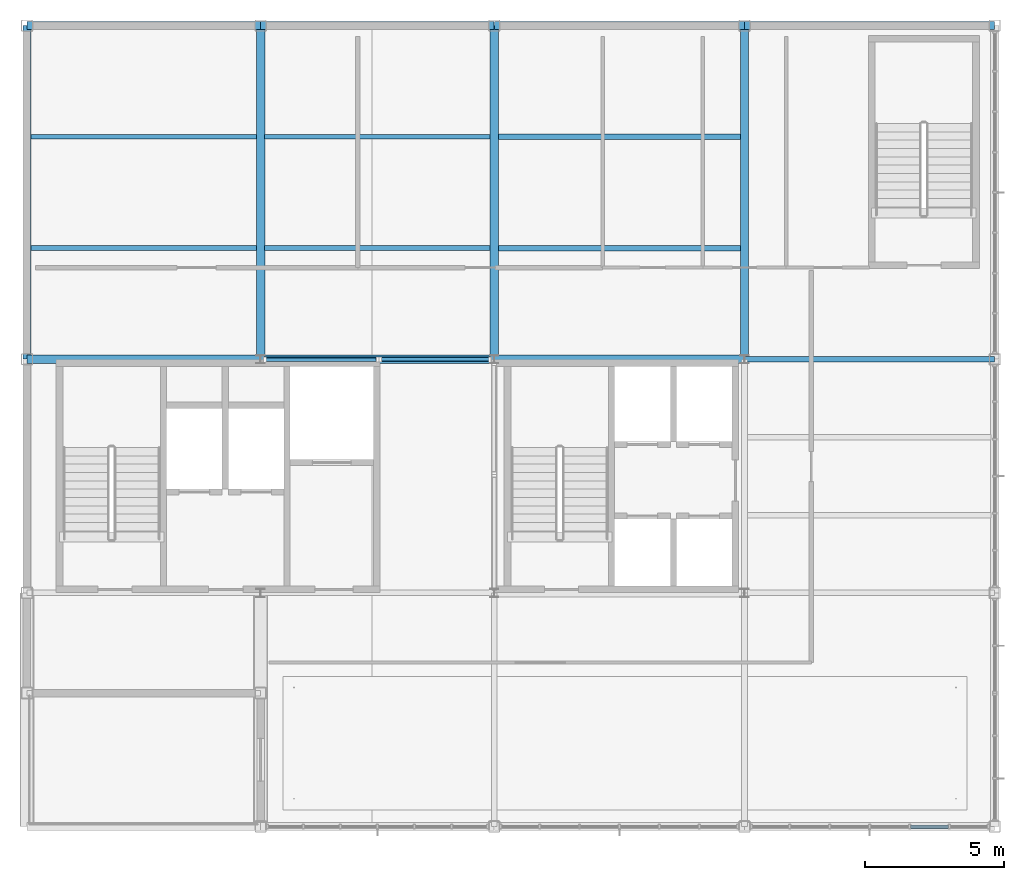
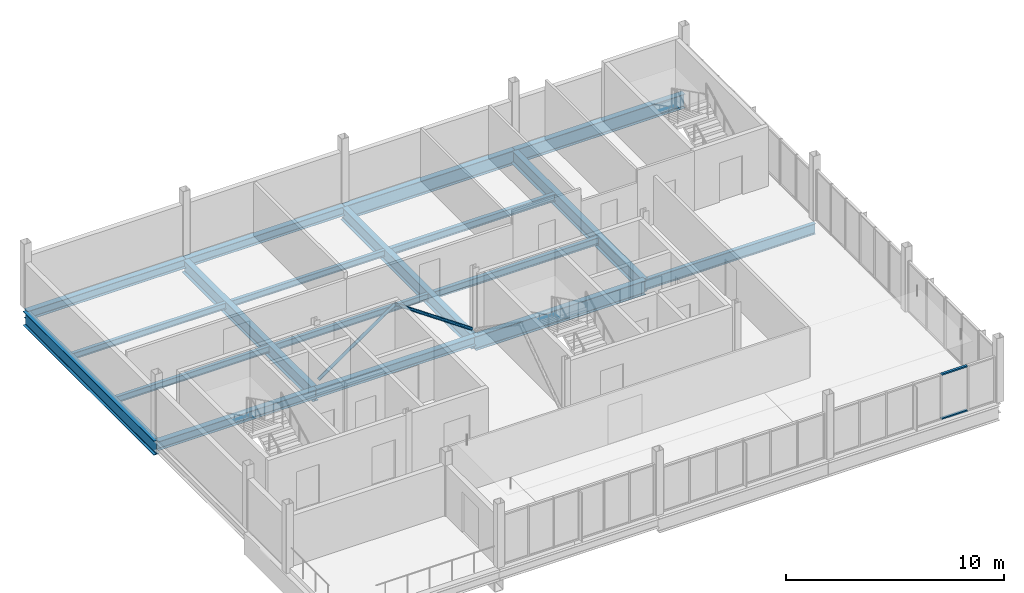
# One storey, part 6 of 17: 18 beams, 4 members, 1 element without a shape of its own.
"""IFC4 building model written with IfcOpenShell, lengths in metres."""

from ifc_helpers import new_model, si_unit, direction, frame, origin, origin_2d, place, context, subcontext, project, spatial, rectangle, hollow_circle, i_section, extrude, material, layer, layer_set, material_profile, profile_set, type_object, element, aggregate, save


model = new_model("IFC4")

# Units and contexts
model_context = context("Model", 3, precision=1e-05, world=origin(), true_north=direction((0.0, 1.0)))
body_context = subcontext(model_context, "Body", "Model", "MODEL_VIEW")
ifc_project = project(units=[si_unit("LENGTHUNIT", "METRE"), si_unit("AREAUNIT", "SQUARE_METRE"), si_unit("VOLUMEUNIT", "CUBIC_METRE"), si_unit("PLANEANGLEUNIT", "RADIAN"), si_unit("MASSUNIT", "GRAM", prefix="KILO")], contexts=[model_context])

# Site, building, storey
site_placement = place(None, origin())
site = spatial("IfcSite", under=ifc_project, at=site_placement, CompositionType="ELEMENT")
building_placement = place(site_placement, origin())
building = spatial("IfcBuilding", under=site, at=building_placement, Name="Yukiwa Park Conservatory and Herbarium", CompositionType="ELEMENT")
storey_placement = place(building_placement, frame((0.0, 0.0, 57.60009765625)))
storey = spatial("IfcBuildingStorey", under=building, at=storey_placement, Name="L15", CompositionType="ELEMENT", Elevation=57.60009765625)

# Beams
ifc_material_1 = material(Name="Steel Q355D", Category="steel")
ifc_material_profile_1 = material_profile(ifc_material_1, i_section(OverallWidth=0.198974609375, OverallDepth=0.595947265625, WebThickness=0.010009765625, FlangeThickness=0.014892578125, FilletRadius=0.02197265625, at=origin_2d()), Name="HN 596x199x10x15")
ifc_profile_set_1 = profile_set([ifc_material_profile_1], Name="Steel Q355D")
beam_type_1 = type_object("IfcBeamType", Name="BM-GRD-HN596", PredefinedType="BEAM", material=ifc_profile_set_1)
beam_1_placement = place(storey_placement, frame((159.006103515625, 103.199951171875, -0.55419921875), z_axis=(1.0, 0.0, 0.0), x_axis=(0.0, 1.0, 0.0)))
element("IfcBeam", 1, at=beam_1_placement, inside=storey, type_object=beam_type_1, Name="L15 grid beam X-13", PredefinedType="BEAM", context=body_context, shape_type="SweptSolid", body=[
    extrude(i_section(OverallWidth=0.198974609375, OverallDepth=0.595947265625, WebThickness=0.010009765625, FlangeThickness=0.014892578125, FilletRadius=0.02197265625, at=origin_2d()), origin(), (0.0, 0.0, 1.0), 8.98779296875),
])
ifc_material_2 = material(Name="Steel Q355D", Category="steel")
ifc_material_profile_2 = material_profile(ifc_material_2, i_section(OverallWidth=0.300048828125, OverallDepth=0.75, WebThickness=0.012939453125, FlangeThickness=0.02392578125, FilletRadius=0.028076171875, at=origin_2d()), Name="HN 750x300x13x24")
ifc_profile_set_2 = profile_set([ifc_material_profile_2], Name="Steel Q355D")
beam_type_2 = type_object("IfcBeamType", Name="BM-GRD-HN750", PredefinedType="BEAM", material=ifc_profile_set_2)
for number, where, z_axis, x_axis, name in (
    (2, (141.60009765625, 103.2060546875, -0.631103515625), (0.0, 1.0, 0.0), (-1.0, 0.0, 0.0), "L15 grid girder Y-20"),
    (3, (150.0, 103.2060546875, -0.631103515625), (0.0, 1.0, 0.0), (-1.0, 0.0, 0.0), "L15 grid girder Y-23"),
    (4, (159.0, 103.2060546875, -0.631103515625), (0.0, 1.0, 0.0), (-1.0, 0.0, 0.0), "L15 grid girder Y-26"),
):
    element("IfcBeam", number, at=place(storey_placement, frame(where, z_axis=z_axis, x_axis=x_axis)), inside=storey, type_object=beam_type_2, Name=name, PredefinedType="BEAM", context=body_context, shape_type="SweptSolid", body=[
        extrude(i_section(OverallWidth=0.300048828125, OverallDepth=0.75, WebThickness=0.012939453125, FlangeThickness=0.02392578125, FilletRadius=0.028076171875, at=origin_2d()), origin(), (0.0, 0.0, 1.0), 11.988037109375),
    ])
ifc_material_3 = material(Name="Steel Q355D", Category="steel")
ifc_material_profile_3 = material_profile(ifc_material_3, i_section(OverallWidth=0.175048828125, OverallDepth=0.35009765625, WebThickness=0.007080078125, FlangeThickness=0.010986328125, FilletRadius=0.013916015625, at=origin_2d()), Name="HN 350x175x7x11")
ifc_profile_set_3 = profile_set([ifc_material_profile_3], Name="Steel Q355D")
beam_type_3 = type_object("IfcBeamType", Name="BM-JST-HN350", PredefinedType="JOIST", material=ifc_profile_set_3)
for number, where, z_axis, x_axis, name in (
    (5, (133.345947265625, 107.199951171875, -0.43115234375), (1.0, 0.0, 0.0), (0.0, 1.0, 0.0), "L15 composite floor joist 1"),
    (6, (133.345947265625, 111.199951171875, -0.43115234375), (1.0, 0.0, 0.0), (0.0, 1.0, 0.0), "L15 composite floor joist 2"),
):
    element("IfcBeam", number, at=place(storey_placement, frame(where, z_axis=z_axis, x_axis=x_axis)), inside=storey, type_object=beam_type_3, Name=name, PredefinedType="JOIST", context=body_context, shape_type="SweptSolid", body=[
        extrude(i_section(OverallWidth=0.175048828125, OverallDepth=0.35009765625, WebThickness=0.007080078125, FlangeThickness=0.010986328125, FilletRadius=0.013916015625, at=origin_2d()), origin(), (0.0, 0.0, 1.0), 8.108154296875),
    ])
for number, where, z_axis, x_axis, name in (
    (7, (141.74609375, 107.199951171875, -0.43115234375), (1.0, 0.0, 0.0), (0.0, 1.0, 0.0), "L15 composite floor joist 3"),
    (8, (141.74609375, 111.199951171875, -0.43115234375), (1.0, 0.0, 0.0), (0.0, 1.0, 0.0), "L15 composite floor joist 4"),
):
    element("IfcBeam", number, at=place(storey_placement, frame(where, z_axis=z_axis, x_axis=x_axis)), inside=storey, type_object=beam_type_3, Name=name, PredefinedType="JOIST", context=body_context, shape_type="SweptSolid", body=[
        extrude(i_section(OverallWidth=0.175048828125, OverallDepth=0.35009765625, WebThickness=0.007080078125, FlangeThickness=0.010986328125, FilletRadius=0.013916015625, at=origin_2d()), origin(), (0.0, 0.0, 1.0), 8.10791015625),
    ])
ifc_material_4 = material(Name="Steel Q355D", Category="steel")
ifc_material_profile_4 = material_profile(ifc_material_4, i_section(OverallWidth=0.199951171875, OverallDepth=0.39990234375, WebThickness=0.008056640625, FlangeThickness=0.012939453125, FilletRadius=0.01611328125, at=origin_2d()), Name="HN 400x200x8x13")
ifc_profile_set_4 = profile_set([ifc_material_profile_4], Name="Steel Q355D")
beam_type_4 = type_object("IfcBeamType", Name="BM-JST-HN400", PredefinedType="JOIST", material=ifc_profile_set_4)
for number, where, z_axis, x_axis, name in (
    (9, (150.14599609375, 107.199951171875, -0.4560546875), (1.0, 0.0, 0.0), (0.0, 1.0, 0.0), "L15 composite floor joist 5"),
    (10, (150.14599609375, 111.199951171875, -0.4560546875), (1.0, 0.0, 0.0), (0.0, 1.0, 0.0), "L15 composite floor joist 6"),
):
    element("IfcBeam", number, at=place(storey_placement, frame(where, z_axis=z_axis, x_axis=x_axis)), inside=storey, type_object=beam_type_4, Name=name, PredefinedType="JOIST", context=body_context, shape_type="SweptSolid", body=[
        extrude(i_section(OverallWidth=0.199951171875, OverallDepth=0.39990234375, WebThickness=0.008056640625, FlangeThickness=0.012939453125, FilletRadius=0.01611328125, at=origin_2d()), origin(), (0.0, 0.0, 1.0), 8.7080078125),
    ])
ifc_material_5 = material(Name="Steel Q355D", Category="steel")
ifc_material_profile_5 = material_profile(ifc_material_5, i_section(OverallWidth=0.300048828125, OverallDepth=0.5, WebThickness=0.010986328125, FlangeThickness=0.01806640625, FilletRadius=0.02392578125, at=origin_2d()), Name="HM 500x300x11x18")
ifc_profile_set_5 = profile_set([ifc_material_profile_5], Name="Steel Q355D")
beam_type_5 = type_object("IfcBeamType", Name="BM-SPN-HN500", PredefinedType="SPANDREL", material=ifc_profile_set_5)
for number, where, z_axis, x_axis, name in (
    (11, (133.2060546875, 103.199951171875, -0.506103515625), (1.0, 0.0, 0.0), (0.0, 1.0, 0.0), "L15 spandrel beam X-10"),
    (12, (141.60595703125, 103.199951171875, -0.506103515625), (1.0, 0.0, 0.0), (0.0, 1.0, 0.0), "L15 spandrel beam X-11"),
    (13, (133.2060546875, 115.199951171875, -0.506103515625), (1.0, 0.0, 0.0), (0.0, 1.0, 0.0), "L15 spandrel beam X-14"),
    (14, (141.60595703125, 115.199951171875, -0.506103515625), (1.0, 0.0, 0.0), (0.0, 1.0, 0.0), "L15 spandrel beam X-15"),
):
    element("IfcBeam", number, at=place(storey_placement, frame(where, z_axis=z_axis, x_axis=x_axis)), inside=storey, type_object=beam_type_5, Name=name, PredefinedType="SPANDREL", context=body_context, shape_type="SweptSolid", body=[
        extrude(i_section(OverallWidth=0.300048828125, OverallDepth=0.5, WebThickness=0.010986328125, FlangeThickness=0.01806640625, FilletRadius=0.02392578125, at=origin_2d()), origin(), (0.0, 0.0, 1.0), 8.387939453125),
    ])
ifc_material_6 = material(Name="Steel Q355D", Category="steel")
ifc_material_profile_6 = material_profile(ifc_material_6, i_section(OverallWidth=0.300048828125, OverallDepth=0.7919921875, WebThickness=0.013916015625, FlangeThickness=0.02197265625, FilletRadius=0.028076171875, at=origin_2d()), Name="HN 792x300x14x22")
ifc_profile_set_6 = profile_set([ifc_material_profile_6], Name="Steel Q355D")
beam_type_6 = type_object("IfcBeamType", Name="BM-SPN-HN600", PredefinedType="SPANDREL", material=ifc_profile_set_6)
for number, where, z_axis, x_axis, name in (
    (15, (150.006103515625, 103.199951171875, -0.652099609375), (1.0, 0.0, 0.0), (0.0, 1.0, 0.0), "L15 spandrel beam X-12"),
    (16, (150.006103515625, 115.199951171875, -0.652099609375), (1.0, 0.0, 0.0), (0.0, 1.0, 0.0), "L15 spandrel beam X-16"),
    (17, (159.006103515625, 115.199951171875, -0.652099609375), (1.0, 0.0, 0.0), (0.0, 1.0, 0.0), "L15 spandrel beam X-17"),
):
    element("IfcBeam", number, at=place(storey_placement, frame(where, z_axis=z_axis, x_axis=x_axis)), inside=storey, type_object=beam_type_6, Name=name, PredefinedType="SPANDREL", context=body_context, shape_type="SweptSolid", body=[
        extrude(i_section(OverallWidth=0.300048828125, OverallDepth=0.7919921875, WebThickness=0.013916015625, FlangeThickness=0.02197265625, FilletRadius=0.028076171875, at=origin_2d()), origin(), (0.0, 0.0, 1.0), 8.98779296875),
    ])
beam_2_placement = place(storey_placement, frame((133.199951171875, 103.2060546875, -0.652099609375), z_axis=(0.0, 1.0, 0.0), x_axis=(-1.0, 0.0, 0.0)))
element("IfcBeam", 18, at=beam_2_placement, inside=storey, type_object=beam_type_6, Name="L15 spandrel girder Y-19", PredefinedType="SPANDREL", context=body_context, shape_type="SweptSolid", body=[
    extrude(i_section(OverallWidth=0.300048828125, OverallDepth=0.7919921875, WebThickness=0.013916015625, FlangeThickness=0.02197265625, FilletRadius=0.028076171875, at=origin_2d()), origin(), (0.0, 0.0, 1.0), 11.988037109375),
])

# Members
ifc_material_7 = material(Name="Steel Q355D", Category="steel")
ifc_material_profile_7 = material_profile(ifc_material_7, hollow_circle(Radius=0.084228515625, WallThickness=0.008056640625, at=origin_2d()), Name="CHS 168.3x8")
ifc_profile_set_7 = profile_set([ifc_material_profile_7], Name="Steel Q355D")
member_type_1 = type_object("IfcMemberType", Name="MB-BR-CHS168", PredefinedType="BRACE", material=ifc_profile_set_7)
member_1_placement = place(storey_placement, frame((141.749267578125, 103.199951171875, 0.153076171875), z_axis=(0.822441938114, 0.0, 0.568849064718), x_axis=(0.0, 1.0, 0.0)))
element("IfcMember", 19, at=member_1_placement, inside=storey, type_object=member_type_1, Name="L15 concentric chevron brace 73", PredefinedType="BRACE", context=body_context, shape_type="SweptSolid", body=[
    extrude(hollow_circle(Radius=0.084228515625, WallThickness=0.008056640625, at=origin_2d()), origin(), (0.0, 0.0, 1.0), 4.92529296875),
])
member_2_placement = place(storey_placement, frame((149.8505859375, 103.199951171875, 0.153076171875), z_axis=(-0.822425897272, 0.0, 0.568872255867), x_axis=(0.0, -1.0, 0.0)))
element("IfcMember", 20, at=member_2_placement, inside=storey, type_object=member_type_1, Name="L15 concentric chevron brace 74", PredefinedType="BRACE", context=body_context, shape_type="SweptSolid", body=[
    extrude(hollow_circle(Radius=0.084228515625, WallThickness=0.008056640625, at=origin_2d()), origin(), (0.0, 0.0, 1.0), 4.925048828125),
])

# Curtain wall, members
ifc_material_8 = material(Name="Triple Low-E Insulated Glass", Category="glass")
ifc_layer = layer(ifc_material_8, 0.2119140625)
ifc_layer_set = layer_set([ifc_layer], Name="Triple Low-E Insulated Glass")
curtain_wall_type = type_object("IfcCurtainWallType", Name="CW-TOWER-SKY-1400", PredefinedType="NOTDEFINED", material=ifc_layer_set)
curtain_wall_placement = place(storey_placement, origin())
curtain_wall = element("IfcCurtainWall", 21, at=curtain_wall_placement, inside=storey, type_object=curtain_wall_type, Name="L15 unitised curtain wall CW-L15-147", PredefinedType="NOTDEFINED")
ifc_material_9 = material(Name="Anodised Aluminium", Category="aluminium")
member_type_2 = type_object("IfcMemberType", Name="MB-CW-TRN-70X130", PredefinedType="USERDEFINED", material=ifc_material_9)
member_3_placement = place(storey_placement, frame((165.64990234375, 86.39990234375, 0.0), z_axis=(0.0, 0.0, 1.0), x_axis=(1.0, 0.0, 0.0)))
member_3 = element("IfcMember", 22, at=member_3_placement, type_object=member_type_2, Name="CW-L15-147 transom 5.1", ObjectType="TRANSOM", PredefinedType="USERDEFINED", context=body_context, shape_type="SweptSolid", body=[
    extrude(rectangle(XDim=1.36328125, YDim=0.1298828125, at=origin_2d()), origin(), (0.0, 0.0, 1.0), 0.070068359375),
])
member_4_placement = place(storey_placement, frame((165.64990234375, 86.39990234375, 2.4677734375), z_axis=(0.0, 0.0, 1.0), x_axis=(1.0, 0.0, 0.0)))
member_4 = element("IfcMember", 23, at=member_4_placement, type_object=member_type_2, Name="CW-L15-147 transom 5.2", ObjectType="TRANSOM", PredefinedType="USERDEFINED", context=body_context, shape_type="SweptSolid", body=[
    extrude(rectangle(XDim=1.36328125, YDim=0.1298828125, at=origin_2d()), origin(), (0.0, 0.0, 1.0), 0.070068359375),
])
aggregate(curtain_wall, [member_3, member_4])

save(model, "model.ifc")
